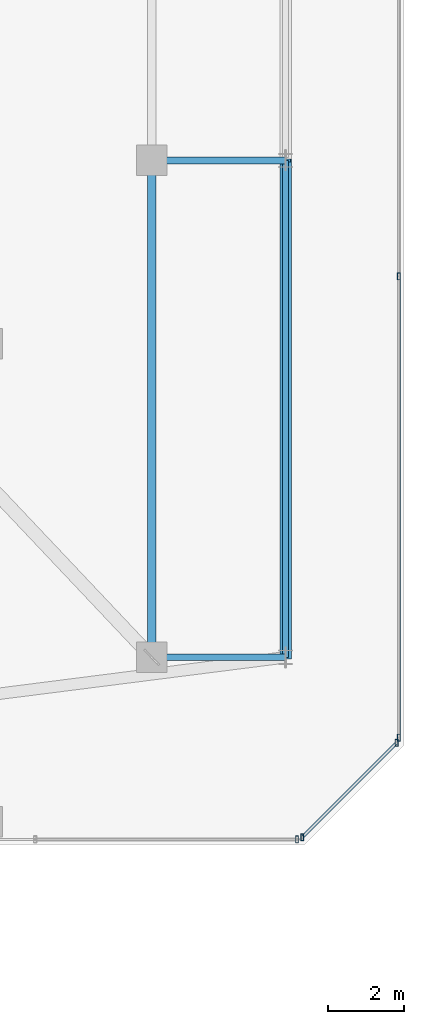
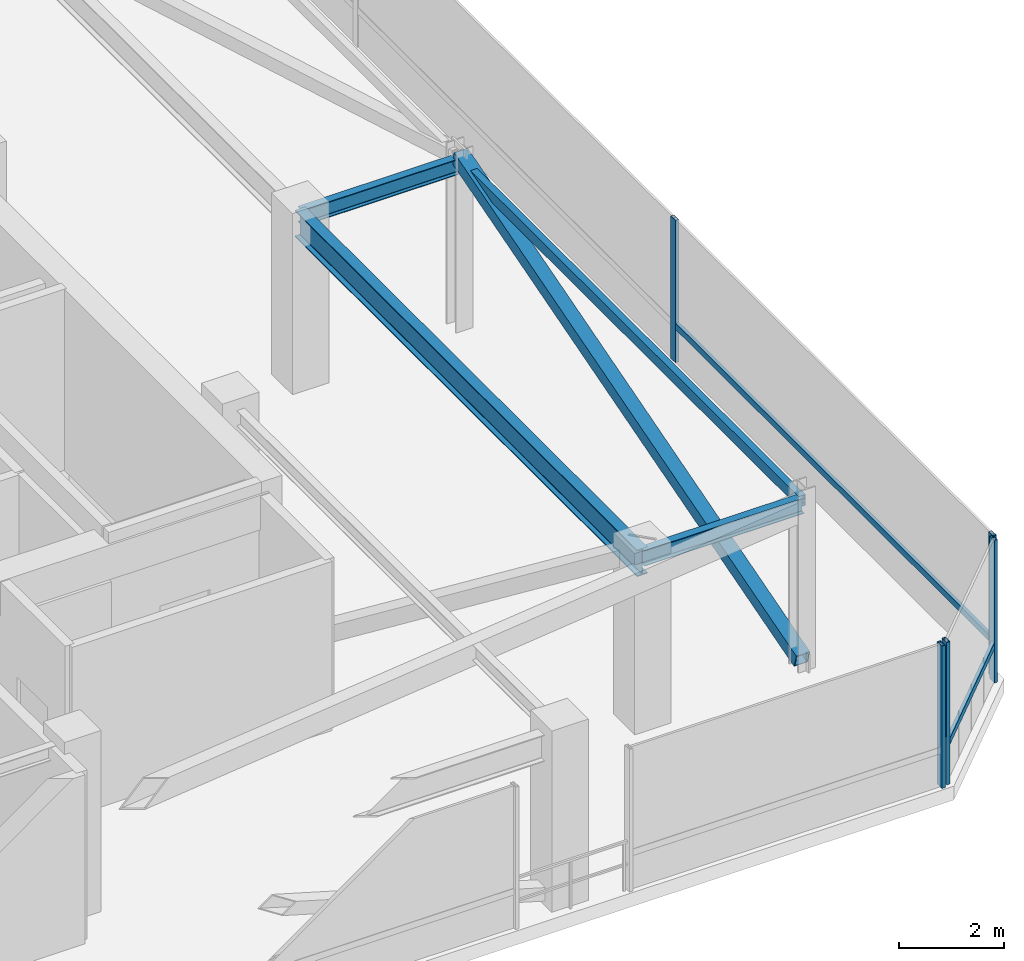
# One storey, part 29 of 47: 8 members, 4 beams, 3 elements without a shape of their own.
"""IFC4 building model written with IfcOpenShell, lengths in metres."""

from ifc_helpers import new_model, si_unit, direction, frame, origin, origin_2d, place, context, subcontext, project, spatial, hollow_rectangle, i_section, extrude, material, material_profile, profile_set, type_object, element, aggregate, save


model = new_model("IFC4")

# Units and contexts
model_context = context("Model", 3, precision=1e-05, world=origin(), true_north=direction((0.0, 1.0)))
body_context = subcontext(model_context, "Body", "Model", "MODEL_VIEW")
ifc_project = project(units=[si_unit("LENGTHUNIT", "METRE"), si_unit("AREAUNIT", "SQUARE_METRE"), si_unit("VOLUMEUNIT", "CUBIC_METRE"), si_unit("PLANEANGLEUNIT", "RADIAN"), si_unit("MASSUNIT", "GRAM", prefix="KILO")], contexts=[model_context])

# Site, building, storey
site_placement = place(None, origin())
site = spatial("IfcSite", under=ifc_project, at=site_placement, CompositionType="ELEMENT")
building_placement = place(site_placement, origin())
building = spatial("IfcBuilding", under=site, at=building_placement, Name="Thornwick Lancets Civic Towers", CompositionType="ELEMENT")
storey_placement = place(building_placement, frame((0.0, 0.0, 279.89990234375)))
storey = spatial("IfcBuildingStorey", under=building, at=storey_placement, Name="C01", CompositionType="ELEMENT", Elevation=279.89990234375)

# Beams
ifc_material_1 = material(Name="Steel S355JR", Category="steel")
ifc_material_profile_1 = material_profile(ifc_material_1, hollow_rectangle(XDim=0.14990234375, YDim=0.25, WallThickness=0.012451171875, at=origin_2d()), Name="RHS 250x150x12.5")
ifc_profile_set_1 = profile_set([ifc_material_profile_1], Name="Steel S355JR")
beam_type_1 = type_object("IfcBeamType", Name="BM_CROWN_RHS250", PredefinedType="BEAM", material=ifc_profile_set_1)
beam_1_placement = place(storey_placement, frame((109.300048828125, 14.0, 3.815185546875), z_axis=(0.0, 1.0, 0.0), x_axis=(-1.0, 0.0, 0.0)))
element("IfcBeam", 1, at=beam_1_placement, inside=storey, type_object=beam_type_1, Name="BM-EDGE-C01-B-S0-1", PredefinedType="BEAM", context=body_context, shape_type="SweptSolid", body=[
    extrude(hollow_rectangle(XDim=0.14990234375, YDim=0.25, WallThickness=0.012451171875, at=origin_2d()), origin(), (0.0, 0.0, 1.0), 13.0),
])
ifc_material_profile_2 = material_profile(ifc_material_1, i_section(OverallWidth=0.230224609375, OverallDepth=0.6171875, WebThickness=0.01318359375, FlangeThickness=0.022216796875, FilletRadius=0.0126953125, at=origin_2d()), Name="UKB 610x229x140")
ifc_profile_set_2 = profile_set([ifc_material_profile_2], Name="Steel S355JR")
beam_type_2 = type_object("IfcBeamType", Name="BM_GIRD_610_140", PredefinedType="BEAM", material=ifc_profile_set_2)
beam_2_placement = place(storey_placement, frame((105.800048828125, 14.0, 3.631591796875), z_axis=(0.0, 1.0, 0.0), x_axis=(-1.0, 0.0, 0.0)))
element("IfcBeam", 2, at=beam_2_placement, inside=storey, type_object=beam_type_2, Name="BM-SPINE-C01-B-0-1", PredefinedType="BEAM", context=body_context, shape_type="SweptSolid", body=[
    extrude(i_section(OverallWidth=0.230224609375, OverallDepth=0.6171875, WebThickness=0.01318359375, FlangeThickness=0.022216796875, FilletRadius=0.0126953125, at=origin_2d()), origin(), (0.0, 0.0, 1.0), 13.0),
])
ifc_material_profile_3 = material_profile(ifc_material_1, i_section(OverallWidth=0.173095703125, OverallDepth=0.36328125, WebThickness=0.009033203125, FlangeThickness=0.015625, FilletRadius=0.01025390625, at=origin_2d()), Name="UKB 356x171x67")
ifc_profile_set_3 = profile_set([ifc_material_profile_3], Name="Steel S355JR")
beam_type_3 = type_object("IfcBeamType", Name="BM_JOIST_356_67", PredefinedType="JOIST", material=ifc_profile_set_3)
for number, where, z_axis, x_axis, name in (
    (3, (105.800048828125, 14.0, 3.75830078125), (1.0, 0.0, 0.0), (0.0, 1.0, 0.0), "BM-RAD-C01-B01"),
    (4, (105.800048828125, 27.0, 3.75830078125), (1.0, 0.0, 0.0), (0.0, 1.0, 0.0), "BM-RAD-C01-B02"),
):
    element("IfcBeam", number, at=place(storey_placement, frame(where, z_axis=z_axis, x_axis=x_axis)), inside=storey, type_object=beam_type_3, Name=name, PredefinedType="JOIST", context=body_context, shape_type="SweptSolid", body=[
        extrude(i_section(OverallWidth=0.173095703125, OverallDepth=0.36328125, WebThickness=0.009033203125, FlangeThickness=0.015625, FilletRadius=0.01025390625, at=origin_2d()), origin(), (0.0, 0.0, 1.0), 3.5),
    ])

# Curtain wall, member
ifc_material_2 = material(Name="Crown ring acoustic-louvre and glazing screen wall", Category="glass")
curtain_wall_type = type_object("IfcCurtainWallType", Name="CW_SYS_07", PredefinedType="NOTDEFINED", material=ifc_material_2)
curtain_wall_1_placement = place(storey_placement, origin())
curtain_wall_1 = element("IfcCurtainWall", 5, at=curtain_wall_1_placement, inside=storey, type_object=curtain_wall_type, Name="C01 Curtain Wall CW-C01-B-E0-S3", PredefinedType="NOTDEFINED")
ifc_material_3 = material(Name="Thermally broken bronze aluminium S355", Category="steel")
ifc_material_profile_4 = material_profile(ifc_material_3, hollow_rectangle(XDim=0.074951171875, YDim=0.179931640625, WallThickness=0.006103515625, at=origin_2d()), Name="RHS 180x75x6")
ifc_profile_set_4 = profile_set([ifc_material_profile_4], Name="Thermally broken bronze aluminium S355")
member_type_1 = type_object("IfcMemberType", Name="CW_MUL_180", PredefinedType="MULLION", material=ifc_profile_set_4)
member_1_placement = place(storey_placement, frame((109.601318359375, 9.2353515625, 0.0), z_axis=(0.0, 0.0, 1.0), x_axis=(1.0, 0.0, 0.0)))
member_1 = element("IfcMember", 6, at=member_1_placement, type_object=member_type_1, Name="CW-C01-B-E0-S3 Mullion 1", PredefinedType="MULLION", context=body_context, shape_type="SweptSolid", body=[
    extrude(hollow_rectangle(XDim=0.074951171875, YDim=0.179931640625, WallThickness=0.006103515625, at=origin_2d()), origin(), (0.0, 0.0, 1.0), 3.300048828125),
])
aggregate(curtain_wall_1, [member_1])

# Curtain wall, members
curtain_wall_2_placement = place(storey_placement, origin())
curtain_wall_2 = element("IfcCurtainWall", 7, at=curtain_wall_2_placement, inside=storey, type_object=curtain_wall_type, Name="C01 Curtain Wall CW-C01-B-E1", PredefinedType="NOTDEFINED")
member_2_placement = place(storey_placement, frame((109.738037109375, 9.2919921875, 0.0), z_axis=(0.0, 0.0, 1.0), x_axis=(1.0, 0.0, 0.0)))
member_2 = element("IfcMember", 8, at=member_2_placement, type_object=member_type_1, Name="CW-C01-B-E1 Mullion 0", PredefinedType="MULLION", context=body_context, shape_type="SweptSolid", body=[
    extrude(hollow_rectangle(XDim=0.074951171875, YDim=0.179931640625, WallThickness=0.006103515625, at=origin_2d()), origin(), (0.0, 0.0, 1.0), 3.300048828125),
])
member_3_placement = place(storey_placement, frame((112.2080078125, 11.761962890625, 0.0), z_axis=(0.0, 0.0, 1.0), x_axis=(1.0, 0.0, 0.0)))
member_3 = element("IfcMember", 9, at=member_3_placement, type_object=member_type_1, Name="CW-C01-B-E1 Mullion 1", PredefinedType="MULLION", context=body_context, shape_type="SweptSolid", body=[
    extrude(hollow_rectangle(XDim=0.074951171875, YDim=0.179931640625, WallThickness=0.006103515625, at=origin_2d()), origin(), (0.0, 0.0, 1.0), 3.300048828125),
])

curtain_wall_3_placement = place(storey_placement, origin())
curtain_wall_3 = element("IfcCurtainWall", 10, at=curtain_wall_3_placement, inside=storey, type_object=curtain_wall_type, Name="C01 Curtain Wall CW-C01-B-E2", PredefinedType="NOTDEFINED")
member_4_placement = place(storey_placement, frame((112.2646484375, 11.898681640625, 0.0), z_axis=(0.0, 0.0, 1.0), x_axis=(1.0, 0.0, 0.0)))
member_4 = element("IfcMember", 11, at=member_4_placement, type_object=member_type_1, Name="CW-C01-B-E2 Mullion 0", PredefinedType="MULLION", context=body_context, shape_type="SweptSolid", body=[
    extrude(hollow_rectangle(XDim=0.074951171875, YDim=0.179931640625, WallThickness=0.006103515625, at=origin_2d()), origin(), (0.0, 0.0, 1.0), 3.300048828125),
])
member_5_placement = place(storey_placement, frame((112.2646484375, 23.96630859375, 0.0), z_axis=(0.0, 0.0, 1.0), x_axis=(1.0, 0.0, 0.0)))
member_5 = element("IfcMember", 12, at=member_5_placement, type_object=member_type_1, Name="CW-C01-B-E2 Mullion 1", PredefinedType="MULLION", context=body_context, shape_type="SweptSolid", body=[
    extrude(hollow_rectangle(XDim=0.074951171875, YDim=0.179931640625, WallThickness=0.006103515625, at=origin_2d()), origin(), (0.0, 0.0, 1.0), 3.300048828125),
])

# Member
ifc_material_profile_5 = material_profile(ifc_material_3, hollow_rectangle(XDim=0.074951171875, YDim=0.14990234375, WallThickness=0.0048828125, at=origin_2d()), Name="RHS 150x75x5")
ifc_profile_set_5 = profile_set([ifc_material_profile_5], Name="Thermally broken bronze aluminium S355")
member_type_2 = type_object("IfcMemberType", Name="CW_TRN_150", PredefinedType="USERDEFINED", material=ifc_profile_set_5)
member_6_placement = place(storey_placement, frame((109.752197265625, 9.30615234375, 0.85009765625), z_axis=(0.707106781187, 0.707106781187, 0.0), x_axis=(-0.707106781187, 0.707106781187, 0.0)))
member_6 = element("IfcMember", 13, at=member_6_placement, type_object=member_type_2, Name="CW-C01-B-E1 Transom 0", ObjectType="TRANSOM", PredefinedType="USERDEFINED", context=body_context, shape_type="SweptSolid", body=[
    extrude(hollow_rectangle(XDim=0.074951171875, YDim=0.14990234375, WallThickness=0.0048828125, at=origin_2d()), origin(), (0.0, 0.0, 1.0), 3.453125),
])

aggregate(curtain_wall_2, [member_2, member_3, member_6])

member_7_placement = place(storey_placement, frame((112.2646484375, 11.918701171875, 0.85009765625), z_axis=(0.0, 1.0, 0.0), x_axis=(-1.0, 0.0, 0.0)))
member_7 = element("IfcMember", 14, at=member_7_placement, type_object=member_type_2, Name="CW-C01-B-E2 Transom 0", ObjectType="TRANSOM", PredefinedType="USERDEFINED", context=body_context, shape_type="SweptSolid", body=[
    extrude(hollow_rectangle(XDim=0.074951171875, YDim=0.14990234375, WallThickness=0.0048828125, at=origin_2d()), origin(), (0.0, 0.0, 1.0), 12.027587890625),
])

aggregate(curtain_wall_3, [member_4, member_5, member_7])

ifc_material_4 = material(Name="Steel S460M", Category="steel")
ifc_material_profile_6 = material_profile(ifc_material_4, hollow_rectangle(XDim=0.300048828125, YDim=0.300048828125, WallThickness=0.01611328125, at=origin_2d()), Name="SHS 300x300x16")
ifc_profile_set_6 = profile_set([ifc_material_profile_6], Name="Steel S460M")
member_type_3 = type_object("IfcMemberType", Name="MEM_BELT_SHS300", PredefinedType="BRACE", material=ifc_profile_set_6)
member_8_placement = place(storey_placement, frame((109.300048828125, 14.0, 0.150146484375), z_axis=(0.0, 0.960032302388, 0.279889225178), x_axis=(-1.0, 0.0, 0.0)))
element("IfcMember", 15, at=member_8_placement, inside=storey, type_object=member_type_3, Name="C01 Belt Truss Diagonal B-S0-1", PredefinedType="BRACE", context=body_context, shape_type="SweptSolid", body=[
    extrude(hollow_rectangle(XDim=0.300048828125, YDim=0.300048828125, WallThickness=0.01611328125, at=origin_2d()), origin(), (0.0, 0.0, 1.0), 13.541259765625),
])

save(model, "model.ifc")
